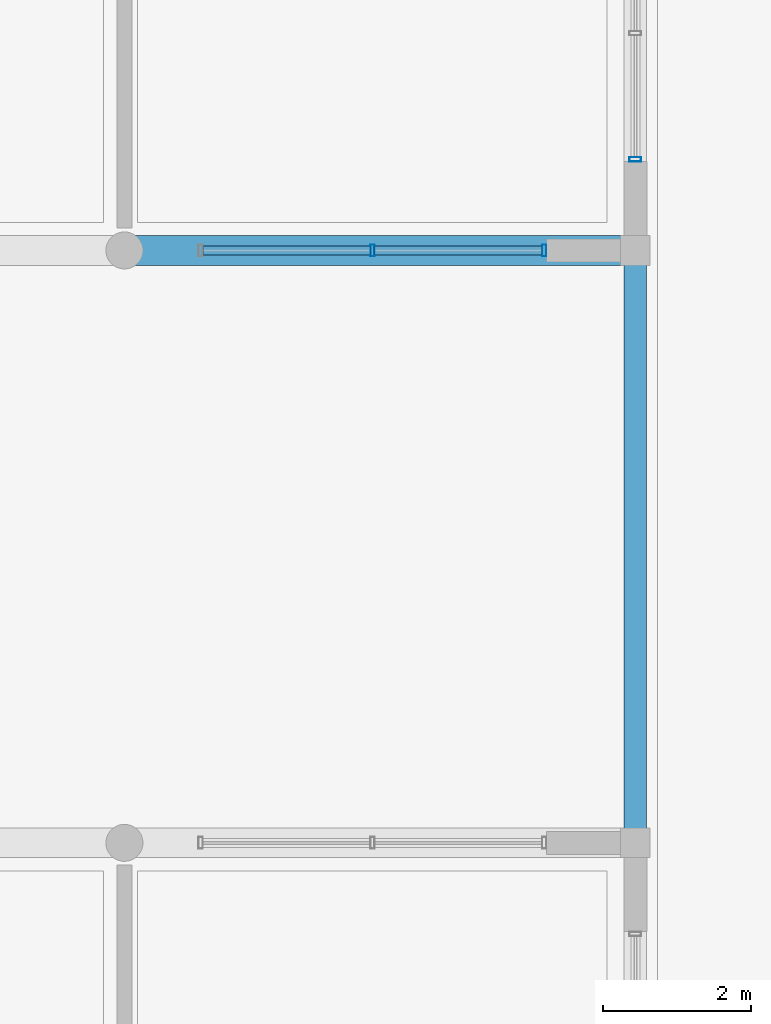
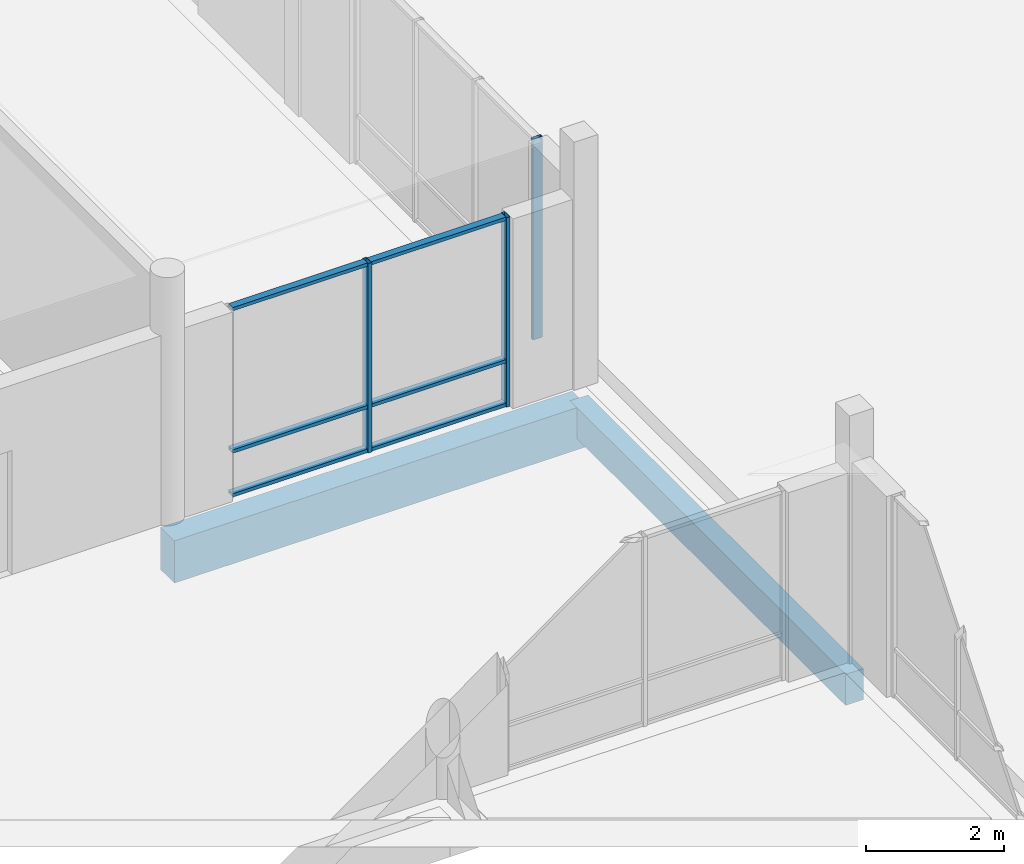
# One storey, part 57 of 233: 9 members, 2 beams, 2 elements without a shape of their own.
"""IFC4 building model written with IfcOpenShell, lengths in metres."""

import ifcopenshell
import ifcopenshell.guid

model = None  # the IFC model being written
_history = None  # IfcOwnerHistory: only IFC2X3 demands one
_inside = {}  # id of a spatial element -> (the spatial element, [elements in it])
_under = {}  # id of a project, library or spatial element -> (it, [spatial elements below it])
_declared = {}  # id of a project -> (the project, [libraries it declares])
_typed = {}  # id of a type object -> (the type object, [elements of that type])
_made_of = {}  # id of a material, layer set ... -> (it, [elements and type objects made of it])


def new_model(schema):
    """Start an empty IFC model of exactly this schema.

    Asked for "IFC4X3", IfcOpenShell would pick the latest addendum, in which some entities
    have other attributes; the version numbers below select the first issue.
    IFC2X3 requires an IfcOwnerHistory on every rooted entity: one is made here for all.
    """
    global model, _history
    if schema == "IFC4X3":
        model = ifcopenshell.file(schema_version=(4, 3, 0, 0))
    else:
        model = ifcopenshell.file(schema=schema)
    _inside.clear()
    _under.clear()
    _declared.clear()
    _typed.clear()
    _made_of.clear()
    _history = None
    if model.schema == "IFC2X3":
        org = make("IfcOrganization", Name="unknown")
        user = make(
            "IfcPersonAndOrganization",
            ThePerson=make("IfcPerson", FamilyName="unknown"),
            TheOrganization=org,
        )
        app = make(
            "IfcApplication",
            ApplicationDeveloper=org,
            Version="unknown",
            ApplicationFullName="unknown",
            ApplicationIdentifier="unknown",
        )
        _history = make(
            "IfcOwnerHistory",
            OwningUser=user,
            OwningApplication=app,
            ChangeAction="ADDED",
            CreationDate=0,
        )
    return model


def make(cls, **values):
    """One entity of the class cls with the attributes given. An attribute that is None is left unset."""
    return model.create_entity(
        cls, **{name: value for name, value in values.items() if value is not None}
    )


def rooted(cls, **values):
    """An entity with a GlobalId (a new one), such as an element, a storey or a relation."""
    return make(cls, GlobalId=ifcopenshell.guid.new(), OwnerHistory=_history, **values)


def si_unit(unit_type, name, prefix=None):
    """IfcSIUnit, for example si_unit("LENGTHUNIT", "METRE", prefix="MILLI")."""
    return make("IfcSIUnit", UnitType=unit_type, Prefix=prefix, Name=name)


def assignment(units):
    """IfcUnitAssignment: the units of a project."""
    return None if units is None else make("IfcUnitAssignment", Units=units)


def point(xyz):
    """IfcCartesianPoint."""
    return None if xyz is None else make("IfcCartesianPoint", Coordinates=xyz)


def direction(xyz):
    """IfcDirection."""
    return None if xyz is None else make("IfcDirection", DirectionRatios=xyz)


def frame(location, z_axis=None, x_axis=None):
    """IfcAxis2Placement3D, a coordinate frame: its origin and axes. An axis left out is left unset."""
    return make(
        "IfcAxis2Placement3D",
        Location=point(location),
        Axis=direction(z_axis),
        RefDirection=direction(x_axis),
    )


def frame_2d(location, x_axis=None):
    """IfcAxis2Placement2D, a coordinate frame in the plane: its origin and x axis."""
    return make(
        "IfcAxis2Placement2D", Location=point(location), RefDirection=direction(x_axis)
    )


def origin():
    """The frame at (0, 0, 0) with its axes left unset."""
    return frame((0.0, 0.0, 0.0))


def origin_2d():
    """The frame at (0, 0) in the plane with its x axis left unset."""
    return frame_2d((0.0, 0.0))


def place(relative_to, where):
    """IfcLocalPlacement: puts the frame where relative to a parent placement (None: the world)."""
    return make(
        "IfcLocalPlacement", PlacementRelTo=relative_to, RelativePlacement=where
    )


def context(
    kind, dimensions, precision=None, world=None, true_north=None, identifier=None
):
    """IfcGeometricRepresentationContext, for example the 3D "Model" context."""
    return make(
        "IfcGeometricRepresentationContext",
        ContextIdentifier=identifier,
        ContextType=kind,
        CoordinateSpaceDimension=dimensions,
        Precision=precision,
        WorldCoordinateSystem=world,
        TrueNorth=true_north,
    )


def subcontext(parent, identifier, kind, view, scale=None):
    """IfcGeometricRepresentationSubContext, for example "Body" below "Model"."""
    return make(
        "IfcGeometricRepresentationSubContext",
        ContextIdentifier=identifier,
        ContextType=kind,
        ParentContext=parent,
        TargetScale=scale,
        TargetView=view,
    )


def project(units=None, contexts=None):
    """IfcProject with its units and contexts."""
    return rooted(
        "IfcProject",
        Name="project",
        RepresentationContexts=contexts,
        UnitsInContext=assignment(units),
    )


def spatial(cls, under=None, at=None, **own):
    """A site, building, storey or space (cls), placed at a placement, below another one or the project."""
    s = rooted(cls, ObjectPlacement=at, **own)
    if under is not None:
        _under.setdefault(under.id(), (under, []))[1].append(s)
    return s


def profile(cls, at=None, kind="AREA", **sizes):
    """A parametric profile (cls). Its sizes go by their IFC names, for example OverallWidth=200.0."""
    return make(cls, ProfileType=kind, Position=at, **sizes)


def rectangle(**sizes):
    """IfcRectangleProfileDef."""
    return profile("IfcRectangleProfileDef", **sizes)


def hollow_rectangle(**sizes):
    """IfcRectangleHollowProfileDef."""
    return profile("IfcRectangleHollowProfileDef", **sizes)


def extrude(swept, where, along, depth):
    """IfcExtrudedAreaSolid: the profile swept, set in the frame where, extruded along a direction by depth."""
    return make(
        "IfcExtrudedAreaSolid",
        SweptArea=swept,
        Position=where,
        ExtrudedDirection=direction(along),
        Depth=depth,
    )


def shape(context_of_items, identifier, shape_type, items):
    """IfcShapeRepresentation: the items that make up one representation, for example the "Body"."""
    return make(
        "IfcShapeRepresentation",
        ContextOfItems=context_of_items,
        RepresentationIdentifier=identifier,
        RepresentationType=shape_type,
        Items=items,
    )


def material(Name=None, Category=None):
    """IfcMaterial."""
    return make("IfcMaterial", Name=Name, Category=Category)


def material_profile(
    of_material, cross_section, Name=None, Category=None, Priority=None
):
    """IfcMaterialProfile: a cross section and its material."""
    return make(
        "IfcMaterialProfile",
        Name=Name,
        Material=of_material,
        Profile=cross_section,
        Priority=Priority,
        Category=Category,
    )


def profile_set(profiles, Name=None, composite=None):
    """IfcMaterialProfileSet."""
    return make(
        "IfcMaterialProfileSet",
        Name=Name,
        MaterialProfiles=profiles,
        CompositeProfile=composite,
    )


def made_of(thing, what):
    """Note that an element or type object is made of a material, layer set ...; save() writes the relation."""
    if what is not None:
        _made_of.setdefault(what.id(), (what, []))[1].append(thing)
    return thing


def type_object(cls, material=None, **own):
    """A type object (cls), such as IfcWallType, which elements share."""
    return made_of(rooted(cls, **own), material)


def element(
    cls,
    number,
    at=None,
    inside=None,
    cuts=None,
    type_object=None,
    material=None,
    context=None,
    identifier="Body",
    shape_type=None,
    held_by="IfcProductDefinitionShape",
    body=None,
    shapes=None,
    **own,
):
    """One element of the class cls, such as IfcWall. Its Tag is "e" and its number.

    at: its placement. inside: the storey or other place that contains it. cuts: it is an
    opening in that element (IfcRelVoidsElement). A single representation is given by context,
    identifier, shape_type and body (its items); several are given by shapes. held_by: the class
    of the entity that holds the representations. save() writes the other relations.
    """
    e = rooted(cls, Tag="e%d" % number, ObjectPlacement=at, **own)
    if body is not None:
        shapes = [shape(context, identifier, shape_type, body)]
    if shapes is not None:
        e.Representation = make(held_by, Representations=shapes)
    if inside is not None:
        _inside.setdefault(inside.id(), (inside, []))[1].append(e)
    if cuts is not None:
        rooted(
            "IfcRelVoidsElement", RelatingBuildingElement=cuts, RelatedOpeningElement=e
        )
    if type_object is not None:
        _typed.setdefault(type_object.id(), (type_object, []))[1].append(e)
    return made_of(e, material)


def aggregate(whole, parts):
    """IfcRelAggregates: a whole, such as a stair, and the parts it consists of."""
    return rooted("IfcRelAggregates", RelatingObject=whole, RelatedObjects=parts)


def save(model, path):
    """Write the relations noted so far, then the file.

    IfcRelAggregates (storeys below a building ...), IfcRelContainedInSpatialStructure (elements
    in a storey), IfcRelDefinesByType, IfcRelAssociatesMaterial and IfcRelDeclares: one each for
    every whole, place, type object, material and project.
    """
    for whole, parts in _under.values():
        aggregate(whole, parts)
    for where, things in _inside.values():
        rooted(
            "IfcRelContainedInSpatialStructure",
            RelatedElements=things,
            RelatingStructure=where,
        )
    for kind, things in _typed.values():
        rooted("IfcRelDefinesByType", RelatedObjects=things, RelatingType=kind)
    for what, things in _made_of.values():
        rooted("IfcRelAssociatesMaterial", RelatedObjects=things, RelatingMaterial=what)
    for by, libraries in _declared.values():
        rooted("IfcRelDeclares", RelatingContext=by, RelatedDefinitions=libraries)
    model.write(path)


model = new_model("IFC4")

# Units and contexts
model_context = context("Model", 3, precision=1e-05, world=origin(), true_north=direction((0.0, 1.0)))
body_context = subcontext(model_context, "Body", "Model", "MODEL_VIEW")
ifc_project = project(units=[si_unit("LENGTHUNIT", "METRE"), si_unit("AREAUNIT", "SQUARE_METRE"), si_unit("VOLUMEUNIT", "CUBIC_METRE"), si_unit("PLANEANGLEUNIT", "RADIAN"), si_unit("MASSUNIT", "GRAM", prefix="KILO")], contexts=[model_context])

# Site, building, storey
site_placement = place(None, origin())
site = spatial("IfcSite", under=ifc_project, at=site_placement, CompositionType="ELEMENT")
building_placement = place(site_placement, origin())
building = spatial("IfcBuilding", under=site, at=building_placement, Name="Zavelmont Quarter", CompositionType="ELEMENT")
storey_placement = place(building_placement, origin())
storey = spatial("IfcBuildingStorey", under=building, at=storey_placement, Name="L00", CompositionType="ELEMENT", Elevation=0.0)

# Beams
ifc_material_1 = material(Name="Concrete C35/45", Category="concrete")
ifc_material_profile_1 = material_profile(ifc_material_1, rectangle(XDim=0.300048828125, YDim=0.550048828125, at=origin_2d()), Name="RC300X550")
ifc_profile_set_1 = profile_set([ifc_material_profile_1], Name="Concrete C35/45")
beam_type_1 = type_object("IfcBeamType", Name="BM02", PredefinedType="SPANDREL", material=ifc_profile_set_1)
beam_1_placement = place(storey_placement, frame((20.699951171875, 54.0, -0.594970703125), z_axis=(0.0, 1.0, 0.0), x_axis=(-1.0, 0.0, 0.0)))
element("IfcBeam", 1, at=beam_1_placement, inside=storey, type_object=beam_type_1, Name="L00 beam BM02 4/J to 4/K", PredefinedType="SPANDREL", context=body_context, shape_type="SweptSolid", body=[
    extrude(rectangle(XDim=0.300048828125, YDim=0.550048828125, at=origin_2d()), origin(), (0.0, 0.0, 1.0), 8.0),
])
ifc_material_2 = material(Name="Concrete C40/50", Category="concrete")
ifc_material_profile_2 = material_profile(ifc_material_2, rectangle(XDim=0.39990234375, YDim=0.75, at=origin_2d()), Name="RC400X750")
ifc_profile_set_2 = profile_set([ifc_material_profile_2], Name="Concrete C40/50")
beam_type_2 = type_object("IfcBeamType", Name="BM05", PredefinedType="BEAM", material=ifc_profile_set_2)
beam_2_placement = place(storey_placement, frame((13.800048828125, 62.0, -0.695068359375), z_axis=(1.0, 0.0, 0.0), x_axis=(0.0, 1.0, 0.0)))
element("IfcBeam", 2, at=beam_2_placement, inside=storey, type_object=beam_type_2, Name="L00 beam BM05 3/K to 4/K", PredefinedType="BEAM", context=body_context, shape_type="SweptSolid", body=[
    extrude(rectangle(XDim=0.39990234375, YDim=0.75, at=origin_2d()), origin(), (0.0, 0.0, 1.0), 6.89990234375),
])

# Curtain wall, member
ifc_material_3 = material(Name="Thermally broken aluminium and double low-E safety glazing", Category="aluminium")
curtain_wall_type_1 = type_object("IfcCurtainWallType", Name="CW-520X356", PredefinedType="NOTDEFINED", material=ifc_material_3)
curtain_wall_1_placement = place(storey_placement, origin())
curtain_wall_1 = element("IfcCurtainWall", 3, at=curtain_wall_1_placement, inside=storey, type_object=curtain_wall_type_1, Name="L00 unitised curtain wall CW-520X356", PredefinedType="NOTDEFINED")
ifc_material_4 = material(Name="Powder-coated aluminium EN AW-6063-T6", Category="aluminium")
ifc_material_profile_3 = material_profile(ifc_material_4, hollow_rectangle(XDim=0.06005859375, YDim=0.159912109375, WallThickness=0.00390625, at=origin_2d()), Name="CWM60X160")
ifc_profile_set_3 = profile_set([ifc_material_profile_3], Name="Powder-coated aluminium EN AW-6063-T6")
member_type_1 = type_object("IfcMemberType", Name="CWM01", PredefinedType="MULLION", material=ifc_profile_set_3)
member_1_placement = place(storey_placement, frame((20.699951171875, 63.22998046875, 0.0), z_axis=(0.0, 0.0, 1.0), x_axis=(0.0, 1.0, 0.0)))
member_1 = element("IfcMember", 4, at=member_1_placement, type_object=member_type_1, Name="CW-520X356 mullion 1", PredefinedType="MULLION", context=body_context, shape_type="SweptSolid", body=[
    extrude(hollow_rectangle(XDim=0.06005859375, YDim=0.159912109375, WallThickness=0.00390625, at=origin_2d()), origin(), (0.0, 0.0, 1.0), 3.56005859375),
])
aggregate(curtain_wall_1, [member_1])

# Curtain wall, members
curtain_wall_type_2 = type_object("IfcCurtainWallType", Name="CW-470X336", PredefinedType="NOTDEFINED", material=ifc_material_3)
curtain_wall_2_placement = place(storey_placement, origin())
curtain_wall_2 = element("IfcCurtainWall", 5, at=curtain_wall_2_placement, inside=storey, type_object=curtain_wall_type_2, Name="L00 unitised curtain wall CW-470X336", PredefinedType="NOTDEFINED")
member_2_placement = place(storey_placement, frame((17.14990234375, 62.0, 0.0), z_axis=(0.0, 0.0, 1.0), x_axis=(1.0, 0.0, 0.0)))
member_2 = element("IfcMember", 6, at=member_2_placement, type_object=member_type_1, Name="CW-470X336 mullion 2", PredefinedType="MULLION", context=body_context, shape_type="SweptSolid", body=[
    extrude(hollow_rectangle(XDim=0.06005859375, YDim=0.159912109375, WallThickness=0.00390625, at=origin_2d()), origin(), (0.0, 0.0, 1.0), 3.360107421875),
])
member_3_placement = place(storey_placement, frame((19.469970703125, 62.0, 0.0), z_axis=(0.0, 0.0, 1.0), x_axis=(1.0, 0.0, 0.0)))
member_3 = element("IfcMember", 7, at=member_3_placement, type_object=member_type_1, Name="CW-470X336 mullion 3", PredefinedType="MULLION", context=body_context, shape_type="SweptSolid", body=[
    extrude(hollow_rectangle(XDim=0.06005859375, YDim=0.159912109375, WallThickness=0.00390625, at=origin_2d()), origin(), (0.0, 0.0, 1.0), 3.360107421875),
])
ifc_material_profile_4 = material_profile(ifc_material_4, hollow_rectangle(XDim=0.1201171875, YDim=0.06005859375, WallThickness=0.00390625, at=origin_2d()), Name="CWT60X120")
ifc_profile_set_4 = profile_set([ifc_material_profile_4], Name="Powder-coated aluminium EN AW-6063-T6")
member_type_2 = type_object("IfcMemberType", Name="CWT01", PredefinedType="NOTDEFINED", material=ifc_profile_set_4)
member_4_placement = place(storey_placement, frame((14.860107421875, 62.0, 0.030029296875), z_axis=(1.0, 0.0, 0.0), x_axis=(0.0, 1.0, 0.0)))
member_4 = element("IfcMember", 8, at=member_4_placement, type_object=member_type_2, Name="CW-470X336 transom 1.1", ObjectType="TRANSOM", PredefinedType="USERDEFINED", context=body_context, shape_type="SweptSolid", body=[
    extrude(hollow_rectangle(XDim=0.1201171875, YDim=0.06005859375, WallThickness=0.00390625, at=origin_2d()), origin(), (0.0, 0.0, 1.0), 2.260009765625),
])
member_5_placement = place(storey_placement, frame((14.860107421875, 62.0, 0.805908203125), z_axis=(1.0, 0.0, 0.0), x_axis=(0.0, 1.0, 0.0)))
member_5 = element("IfcMember", 9, at=member_5_placement, type_object=member_type_2, Name="CW-470X336 transom 1.2", ObjectType="TRANSOM", PredefinedType="USERDEFINED", context=body_context, shape_type="SweptSolid", body=[
    extrude(hollow_rectangle(XDim=0.1201171875, YDim=0.06005859375, WallThickness=0.00390625, at=origin_2d()), origin(), (0.0, 0.0, 1.0), 2.260009765625),
])
member_6_placement = place(storey_placement, frame((14.860107421875, 62.0, 3.330078125), z_axis=(1.0, 0.0, 0.0), x_axis=(0.0, 1.0, 0.0)))
member_6 = element("IfcMember", 10, at=member_6_placement, type_object=member_type_2, Name="CW-470X336 transom 1.3", ObjectType="TRANSOM", PredefinedType="USERDEFINED", context=body_context, shape_type="SweptSolid", body=[
    extrude(hollow_rectangle(XDim=0.1201171875, YDim=0.06005859375, WallThickness=0.00390625, at=origin_2d()), origin(), (0.0, 0.0, 1.0), 2.260009765625),
])
member_7_placement = place(storey_placement, frame((17.179931640625, 62.0, 0.030029296875), z_axis=(1.0, 0.0, 0.0), x_axis=(0.0, 1.0, 0.0)))
member_7 = element("IfcMember", 11, at=member_7_placement, type_object=member_type_2, Name="CW-470X336 transom 2.1", ObjectType="TRANSOM", PredefinedType="USERDEFINED", context=body_context, shape_type="SweptSolid", body=[
    extrude(hollow_rectangle(XDim=0.1201171875, YDim=0.06005859375, WallThickness=0.00390625, at=origin_2d()), origin(), (0.0, 0.0, 1.0), 2.260009765625),
])
member_8_placement = place(storey_placement, frame((17.179931640625, 62.0, 0.805908203125), z_axis=(1.0, 0.0, 0.0), x_axis=(0.0, 1.0, 0.0)))
member_8 = element("IfcMember", 12, at=member_8_placement, type_object=member_type_2, Name="CW-470X336 transom 2.2", ObjectType="TRANSOM", PredefinedType="USERDEFINED", context=body_context, shape_type="SweptSolid", body=[
    extrude(hollow_rectangle(XDim=0.1201171875, YDim=0.06005859375, WallThickness=0.00390625, at=origin_2d()), origin(), (0.0, 0.0, 1.0), 2.260009765625),
])
member_9_placement = place(storey_placement, frame((17.179931640625, 62.0, 3.330078125), z_axis=(1.0, 0.0, 0.0), x_axis=(0.0, 1.0, 0.0)))
member_9 = element("IfcMember", 13, at=member_9_placement, type_object=member_type_2, Name="CW-470X336 transom 2.3", ObjectType="TRANSOM", PredefinedType="USERDEFINED", context=body_context, shape_type="SweptSolid", body=[
    extrude(hollow_rectangle(XDim=0.1201171875, YDim=0.06005859375, WallThickness=0.00390625, at=origin_2d()), origin(), (0.0, 0.0, 1.0), 2.260009765625),
])
aggregate(curtain_wall_2, [member_2, member_3, member_4, member_5, member_6, member_7, member_8, member_9])

save(model, "model.ifc")
